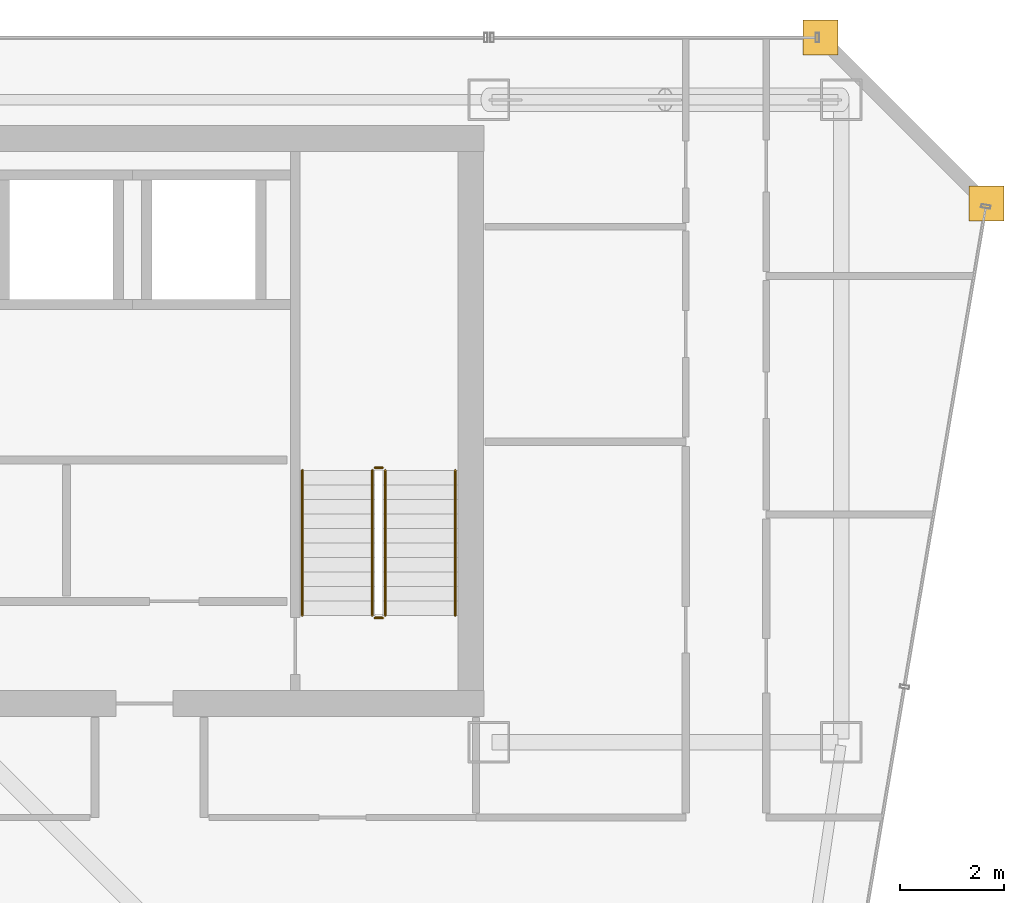
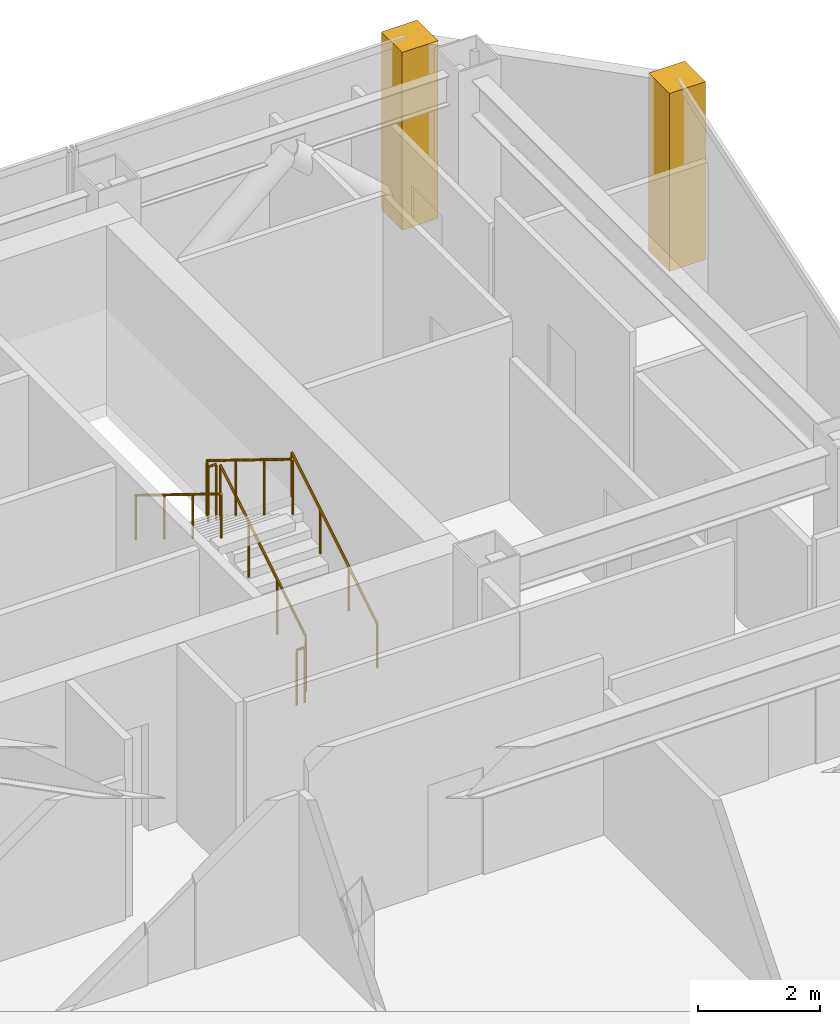
# One storey, part 36 of 36: 6 railings, 2 coverings.
"""IFC4 building model written with IfcOpenShell, lengths in metres."""

from ifc_helpers import new_model, si_unit, direction, frame, origin, origin_2d, place, context, subcontext, project, spatial, polyline, circle, outline, extrude, material, layer, layer_set, type_object, element, save


model = new_model("IFC4")

# Units and contexts
model_context = context("Model", 3, precision=1e-05, world=origin(), true_north=direction((0.0, 1.0)))
body_context = subcontext(model_context, "Body", "Model", "MODEL_VIEW")
ifc_project = project(units=[si_unit("LENGTHUNIT", "METRE"), si_unit("AREAUNIT", "SQUARE_METRE"), si_unit("VOLUMEUNIT", "CUBIC_METRE"), si_unit("PLANEANGLEUNIT", "RADIAN"), si_unit("MASSUNIT", "GRAM", prefix="KILO")], contexts=[model_context])

# Site, building, storey
site_placement = place(None, origin())
site = spatial("IfcSite", under=ifc_project, at=site_placement, CompositionType="ELEMENT")
building_placement = place(site_placement, origin())
building = spatial("IfcBuilding", under=site, at=building_placement, Name="Saevonmaru Cultural Tower", CompositionType="ELEMENT")
storey_placement = place(building_placement, frame((0.0, 0.0, 186.60009765625)))
storey = spatial("IfcBuildingStorey", under=building, at=storey_placement, Name="L42", CompositionType="ELEMENT", Elevation=186.60009765625)

# Coverings
ifc_material_1 = material(Name="Satin Bronze Anodised Aluminium", Category="aluminium")
ifc_layer = layer(ifc_material_1, 0.679931640625, Name="Satin Bronze Anodised Aluminium")
ifc_layer_set = layer_set([ifc_layer], Name="Satin Bronze Anodised Aluminium")
covering_type = type_object("IfcCoveringType", Name="CV-CORNER-CLAD", PredefinedType="CLADDING", material=ifc_layer_set)
covering_1_placement = place(storey_placement, origin())
element("IfcCovering", 1, at=covering_1_placement, inside=storey, type_object=covering_type, Name="L42 Tower Bronze Corner Cladding Pier 9", PredefinedType="CLADDING", context=body_context, shape_type="SweptSolid", body=[
    extrude(outline(polyline([(55.659912109375, 52.4599609375), (56.340087890625, 52.4599609375), (56.340087890625, 53.139892578125), (55.659912109375, 53.139892578125), (55.659912109375, 52.4599609375)])), origin(), (0.0, 0.0, 1.0), 3.5498046875),
])
covering_2_placement = place(storey_placement, origin())
element("IfcCovering", 2, at=covering_2_placement, inside=storey, type_object=covering_type, Name="L42 Tower Bronze Corner Cladding Pier 10", PredefinedType="CLADDING", context=body_context, shape_type="SweptSolid", body=[
    extrude(outline(polyline([(52.4599609375, 55.659912109375), (53.139892578125, 55.659912109375), (53.139892578125, 56.340087890625), (52.4599609375, 56.340087890625), (52.4599609375, 55.659912109375)])), origin(), (0.0, 0.0, 1.0), 3.5498046875),
])

# Railings
ifc_material_2 = material(Name="Architectural Painted Steel", Category="steel")
railing_type_1 = type_object("IfcRailingType", Name="RL-STAIR-GUARD", PredefinedType="GUARDRAIL", material=ifc_material_2)
railing_1_placement = place(storey_placement, frame((44.39990234375, 44.85009765625, 0.172607421875)))
element("IfcRailing", 3, at=railing_1_placement, inside=storey, type_object=railing_type_1, Name="L42 ST-2 stair guard 1", PredefinedType="GUARDRAIL", context=body_context, shape_type="SweptSolid", body=[
    extrude(circle(Radius=0.02392578125, at=origin_2d()), frame((0.0, 0.0, 1.09619140625), z_axis=(0.0, 0.851069175582, 0.525053576669), x_axis=(-1.0, 0.0, 0.0)), (0.0, 0.0, 1.0), 3.289794921875),
    extrude(circle(Radius=0.02099609375, at=origin_2d()), origin(), (0.0, 0.0, 1.0), 1.072021484375),
    extrude(circle(Radius=0.02099609375, at=origin_2d()), frame((0.0, 0.933349609375, 0.57568359375)), (0.0, 0.0, 1.0), 1.072021484375),
    extrude(circle(Radius=0.02099609375, at=origin_2d()), frame((0.0, 1.866455078125, 1.151611328125)), (0.0, 0.0, 1.0), 1.072021484375),
    extrude(circle(Radius=0.02099609375, at=origin_2d()), frame((0.0, 2.7998046875, 1.727294921875)), (0.0, 0.0, 1.0), 1.072021484375),
])
railing_2_placement = place(storey_placement, frame((44.35009765625, 47.699951171875, 1.89990234375)))
element("IfcRailing", 4, at=railing_2_placement, inside=storey, type_object=railing_type_1, Name="L42 ST-2 stair guard 2", PredefinedType="GUARDRAIL", context=body_context, shape_type="SweptSolid", body=[
    extrude(circle(Radius=0.02392578125, at=origin_2d()), frame((0.0, 0.0, 1.09619140625), z_axis=(-1.0, 0.0, 0.0), x_axis=(0.0, -1.0, 0.0)), (0.0, 0.0, 1.0), 0.150146484375),
    extrude(circle(Radius=0.02099609375, at=origin_2d()), origin(), (0.0, 0.0, 1.0), 1.072021484375),
    extrude(circle(Radius=0.02099609375, at=origin_2d()), frame((-0.150146484375, 0.0, 0.0)), (0.0, 0.0, 1.0), 1.072021484375),
])
railing_3_placement = place(storey_placement, frame((44.14990234375, 47.64990234375, 2.072509765625)))
element("IfcRailing", 5, at=railing_3_placement, inside=storey, type_object=railing_type_1, Name="L42 ST-2 stair guard 3", PredefinedType="GUARDRAIL", context=body_context, shape_type="SweptSolid", body=[
    extrude(circle(Radius=0.02392578125, at=origin_2d()), frame((0.0, 0.0, 1.09619140625), z_axis=(0.0, -0.851069175582, 0.525053576669), x_axis=(1.0, 0.0, 0.0)), (0.0, 0.0, 1.0), 3.289794921875),
    extrude(circle(Radius=0.02099609375, at=origin_2d()), origin(), (0.0, 0.0, 1.0), 1.072021484375),
    extrude(circle(Radius=0.02099609375, at=origin_2d()), frame((0.0, -0.933349609375, 0.57568359375)), (0.0, 0.0, 1.0), 1.072021484375),
    extrude(circle(Radius=0.02099609375, at=origin_2d()), frame((0.0, -1.866455078125, 1.151611328125)), (0.0, 0.0, 1.0), 1.072021484375),
    extrude(circle(Radius=0.02099609375, at=origin_2d()), frame((0.0, -2.7998046875, 1.727294921875)), (0.0, 0.0, 1.0), 1.072021484375),
])
railing_4_placement = place(storey_placement, frame((44.35009765625, 44.800048828125, 0.0)))
element("IfcRailing", 6, at=railing_4_placement, inside=storey, type_object=railing_type_1, Name="L42 ST-2 stair guard 4", PredefinedType="GUARDRAIL", context=body_context, shape_type="SweptSolid", body=[
    extrude(circle(Radius=0.02392578125, at=origin_2d()), frame((0.0, 0.0, 1.09619140625), z_axis=(-1.0, 0.0, 0.0), x_axis=(0.0, -1.0, 0.0)), (0.0, 0.0, 1.0), 0.150146484375),
    extrude(circle(Radius=0.02099609375, at=origin_2d()), origin(), (0.0, 0.0, 1.0), 1.072021484375),
    extrude(circle(Radius=0.02099609375, at=origin_2d()), frame((-0.150146484375, 0.0, 0.0)), (0.0, 0.0, 1.0), 1.072021484375),
])
railing_type_2 = type_object("IfcRailingType", Name="RL-STAIR-HANDRAIL", PredefinedType="HANDRAIL", material=ifc_material_1)
railing_5_placement = place(storey_placement, frame((45.75, 44.85009765625, 0.172607421875)))
element("IfcRailing", 7, at=railing_5_placement, inside=storey, type_object=railing_type_2, Name="L42 ST-2 stair handrail 1", PredefinedType="HANDRAIL", context=body_context, shape_type="SweptSolid", body=[
    extrude(circle(Radius=0.02392578125, at=origin_2d()), frame((0.0, 0.0, 0.8759765625), z_axis=(0.0, 0.851069175582, 0.525053576669), x_axis=(-1.0, 0.0, 0.0)), (0.0, 0.0, 1.0), 3.289794921875),
    extrude(circle(Radius=0.02099609375, at=origin_2d()), origin(), (0.0, 0.0, 1.0), 0.851806640625),
    extrude(circle(Radius=0.02099609375, at=origin_2d()), frame((0.0, 0.933349609375, 0.57568359375)), (0.0, 0.0, 1.0), 0.851806640625),
    extrude(circle(Radius=0.02099609375, at=origin_2d()), frame((0.0, 1.866455078125, 1.151611328125)), (0.0, 0.0, 1.0), 0.851806640625),
    extrude(circle(Radius=0.02099609375, at=origin_2d()), frame((0.0, 2.7998046875, 1.727294921875)), (0.0, 0.0, 1.0), 0.851806640625),
])
railing_6_placement = place(storey_placement, frame((42.800048828125, 47.64990234375, 2.072509765625)))
element("IfcRailing", 8, at=railing_6_placement, inside=storey, type_object=railing_type_2, Name="L42 ST-2 stair handrail 2", PredefinedType="HANDRAIL", context=body_context, shape_type="SweptSolid", body=[
    extrude(circle(Radius=0.02392578125, at=origin_2d()), frame((0.0, 0.0, 0.8759765625), z_axis=(0.0, -0.851069175582, 0.525053576669), x_axis=(1.0, 0.0, 0.0)), (0.0, 0.0, 1.0), 3.289794921875),
    extrude(circle(Radius=0.02099609375, at=origin_2d()), origin(), (0.0, 0.0, 1.0), 0.851806640625),
    extrude(circle(Radius=0.02099609375, at=origin_2d()), frame((0.0, -0.933349609375, 0.57568359375)), (0.0, 0.0, 1.0), 0.851806640625),
    extrude(circle(Radius=0.02099609375, at=origin_2d()), frame((0.0, -1.866455078125, 1.151611328125)), (0.0, 0.0, 1.0), 0.851806640625),
    extrude(circle(Radius=0.02099609375, at=origin_2d()), frame((0.0, -2.7998046875, 1.727294921875)), (0.0, 0.0, 1.0), 0.851806640625),
])

save(model, "model.ifc")
